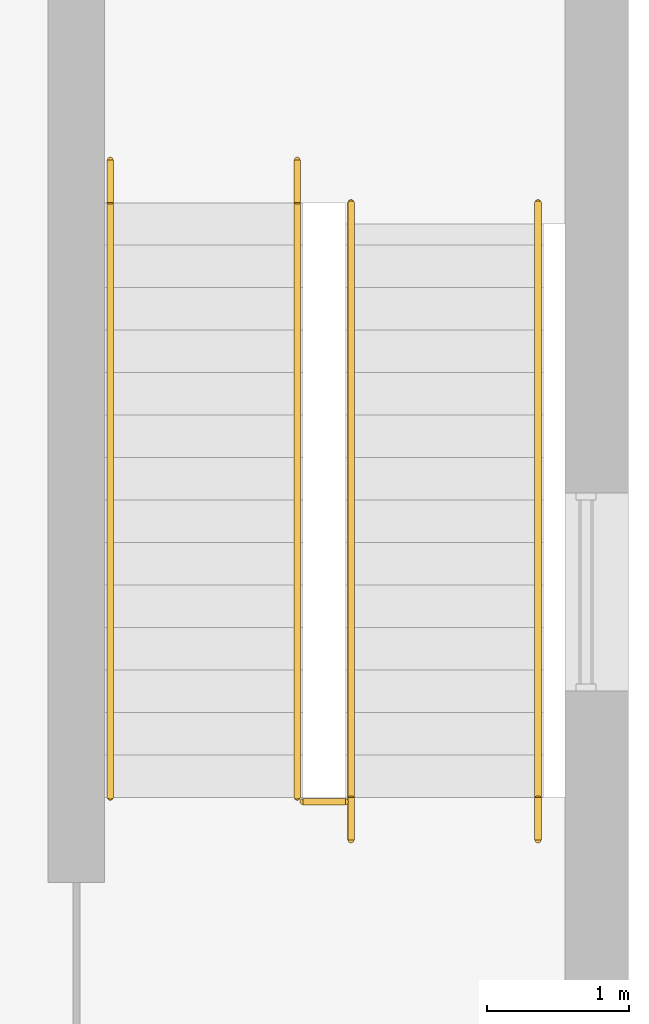
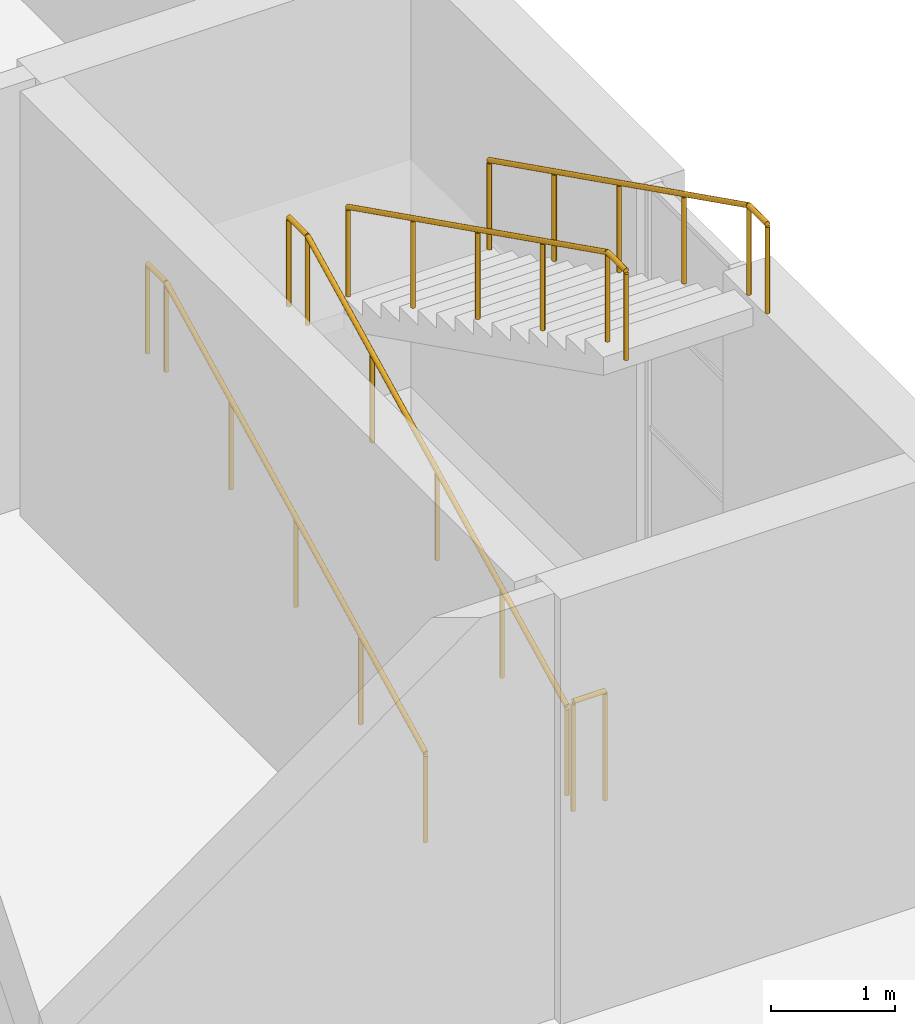
# One storey, part 62 of 66: 5 railings.
"""IFC4 building model written with IfcOpenShell, lengths in metres."""

from ifc_helpers import new_model, si_unit, direction, frame, origin, origin_2d, place, context, subcontext, project, spatial, circle, extrude, material, type_object, element, save


model = new_model("IFC4")

# Units and contexts
model_context = context("Model", 3, precision=1e-05, world=origin(), true_north=direction((0.0, 1.0)))
body_context = subcontext(model_context, "Body", "Model", "MODEL_VIEW")
ifc_project = project(units=[si_unit("LENGTHUNIT", "METRE"), si_unit("AREAUNIT", "SQUARE_METRE"), si_unit("VOLUMEUNIT", "CUBIC_METRE"), si_unit("PLANEANGLEUNIT", "RADIAN"), si_unit("MASSUNIT", "GRAM", prefix="KILO")], contexts=[model_context])

# Site, building, storey
site_placement = place(None, origin())
site = spatial("IfcSite", under=ifc_project, at=site_placement, CompositionType="ELEMENT")
building_placement = place(site_placement, origin())
building = spatial("IfcBuilding", under=site, at=building_placement, Name="Yavir Park General Hospital", CompositionType="ELEMENT")
storey_placement = place(building_placement, frame((0.0, 0.0, 8.39990234375)))
storey = spatial("IfcBuildingStorey", under=building, at=storey_placement, Name="L02", CompositionType="ELEMENT", Elevation=8.39990234375)

# Railings
ifc_material_1 = material(Name="Steel balustrade with infill rods", Category="steel")
railing_type_1 = type_object("IfcRailingType", Name="Stair guard, steel balustrade 1100 mm", PredefinedType="GUARDRAIL", material=ifc_material_1)
railing_placement = place(storey_placement, frame((23.199951171875, 77.969970703125, 0.0)))
element("IfcRailing", 1, at=railing_placement, inside=storey, type_object=railing_type_1, Name="Stair well guard SW2 L02", PredefinedType="GUARDRAIL", context=body_context, shape_type="SweptSolid", body=[
    extrude(circle(Radius=0.02392578125, at=origin_2d()), frame((0.0, 0.0, 1.076171875), z_axis=(1.0, 0.0, 0.0), x_axis=(0.0, 1.0, 0.0)), (0.0, 0.0, 1.0), 0.300048828125),
    extrude(circle(Radius=0.02099609375, at=origin_2d()), origin(), (0.0, 0.0, 1.0), 1.052001953125),
    extrude(circle(Radius=0.02099609375, at=origin_2d()), frame((0.300048828125, 0.0, 0.0)), (0.0, 0.0, 1.0), 1.052001953125),
])
ifc_material_2 = material(Name="Stainless steel tube 48 mm", Category="steel")
railing_type_2 = type_object("IfcRailingType", Name="Stair handrail, steel tube, 900 mm above the nosings", PredefinedType="HANDRAIL", material=ifc_material_2)
for number, where, name in (
    (2, (21.840087890625, 78.0, 0.150146484375), "Handrail SW2 L02 1"),
    (3, (23.159912109375, 78.0, 0.150146484375), "Handrail SW2 L02 2"),
):
    element("IfcRailing", number, at=place(storey_placement, frame(where)), inside=storey, type_object=railing_type_2, Name=name, PredefinedType="HANDRAIL", context=body_context, shape_type="SweptSolid", body=[
        extrude(circle(Radius=0.02392578125, at=origin_2d()), frame((0.0, 0.0, 0.8759765625), z_axis=(0.0, 0.894437589381, 0.447192798132), x_axis=(-1.0, 0.0, 0.0)), (0.0, 0.0, 1.0), 4.695556640625),
        extrude(circle(Radius=0.02392578125, at=origin_2d()), frame((0.0, 4.199951171875, 2.9755859375), z_axis=(0.0, 1.0, 0.0), x_axis=(-1.0, 0.0, 0.0)), (0.0, 0.0, 1.0), 0.300048828125),
        extrude(circle(Radius=0.02099609375, at=origin_2d()), origin(), (0.0, 0.0, 1.0), 0.851806640625),
        extrude(circle(Radius=0.02099609375, at=origin_2d()), frame((0.0, 1.050048828125, 0.52490234375)), (0.0, 0.0, 1.0), 0.851806640625),
        extrude(circle(Radius=0.02099609375, at=origin_2d()), frame((0.0, 2.10009765625, 1.0498046875)), (0.0, 0.0, 1.0), 0.851806640625),
        extrude(circle(Radius=0.02099609375, at=origin_2d()), frame((0.0, 3.14990234375, 1.574951171875)), (0.0, 0.0, 1.0), 0.851806640625),
        extrude(circle(Radius=0.02099609375, at=origin_2d()), frame((0.0, 4.199951171875, 2.099853515625)), (0.0, 0.0, 1.0), 0.851806640625),
        extrude(circle(Radius=0.02099609375, at=origin_2d()), frame((0.0, 4.5, 2.099853515625)), (0.0, 0.0, 1.0), 0.851806640625),
    ])
for number, where, name in (
    (4, (24.860107421875, 82.199951171875, 2.400146484375), "Handrail SW2 L02 3"),
    (5, (23.5400390625, 82.199951171875, 2.400146484375), "Handrail SW2 L02 4"),
):
    element("IfcRailing", number, at=place(storey_placement, frame(where)), inside=storey, type_object=railing_type_2, Name=name, PredefinedType="HANDRAIL", context=body_context, shape_type="SweptSolid", body=[
        extrude(circle(Radius=0.02392578125, at=origin_2d()), frame((0.0, 0.0, 0.8759765625), z_axis=(0.0, -0.894437589381, 0.447192798132), x_axis=(1.0, 0.0, 0.0)), (0.0, 0.0, 1.0), 4.695556640625),
        extrude(circle(Radius=0.02392578125, at=origin_2d()), frame((0.0, -4.199951171875, 2.9755859375), z_axis=(0.0, -1.0, 0.0), x_axis=(1.0, 0.0, 0.0)), (0.0, 0.0, 1.0), 0.300048828125),
        extrude(circle(Radius=0.02099609375, at=origin_2d()), origin(), (0.0, 0.0, 1.0), 0.851806640625),
        extrude(circle(Radius=0.02099609375, at=origin_2d()), frame((0.0, -1.050048828125, 0.52490234375)), (0.0, 0.0, 1.0), 0.851806640625),
        extrude(circle(Radius=0.02099609375, at=origin_2d()), frame((0.0, -2.10009765625, 1.0498046875)), (0.0, 0.0, 1.0), 0.851806640625),
        extrude(circle(Radius=0.02099609375, at=origin_2d()), frame((0.0, -3.14990234375, 1.574951171875)), (0.0, 0.0, 1.0), 0.851806640625),
        extrude(circle(Radius=0.02099609375, at=origin_2d()), frame((0.0, -4.199951171875, 2.099853515625)), (0.0, 0.0, 1.0), 0.851806640625),
        extrude(circle(Radius=0.02099609375, at=origin_2d()), frame((0.0, -4.5, 2.099853515625)), (0.0, 0.0, 1.0), 0.851806640625),
    ])

save(model, "model.ifc")
